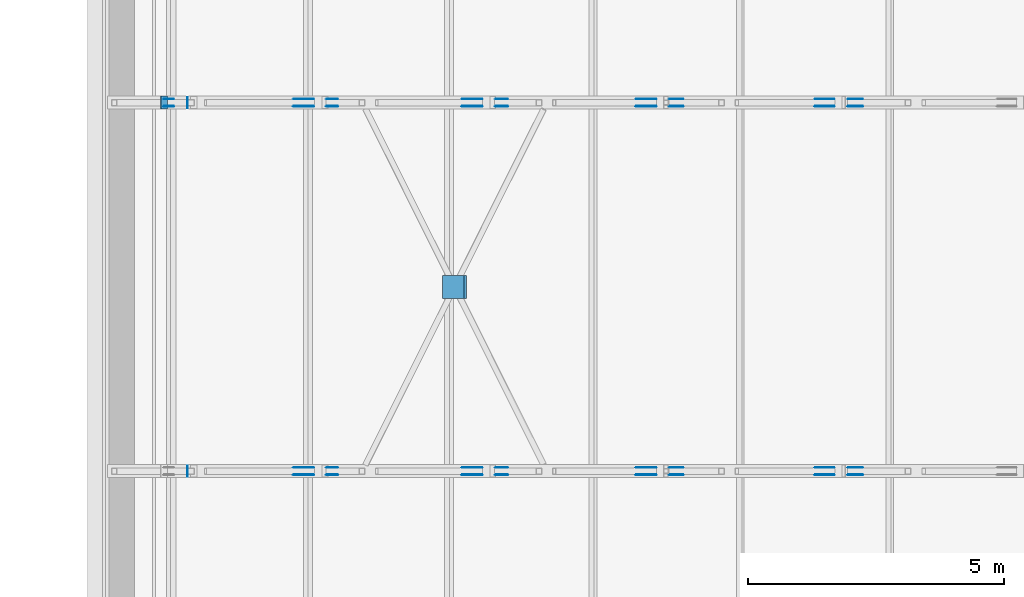
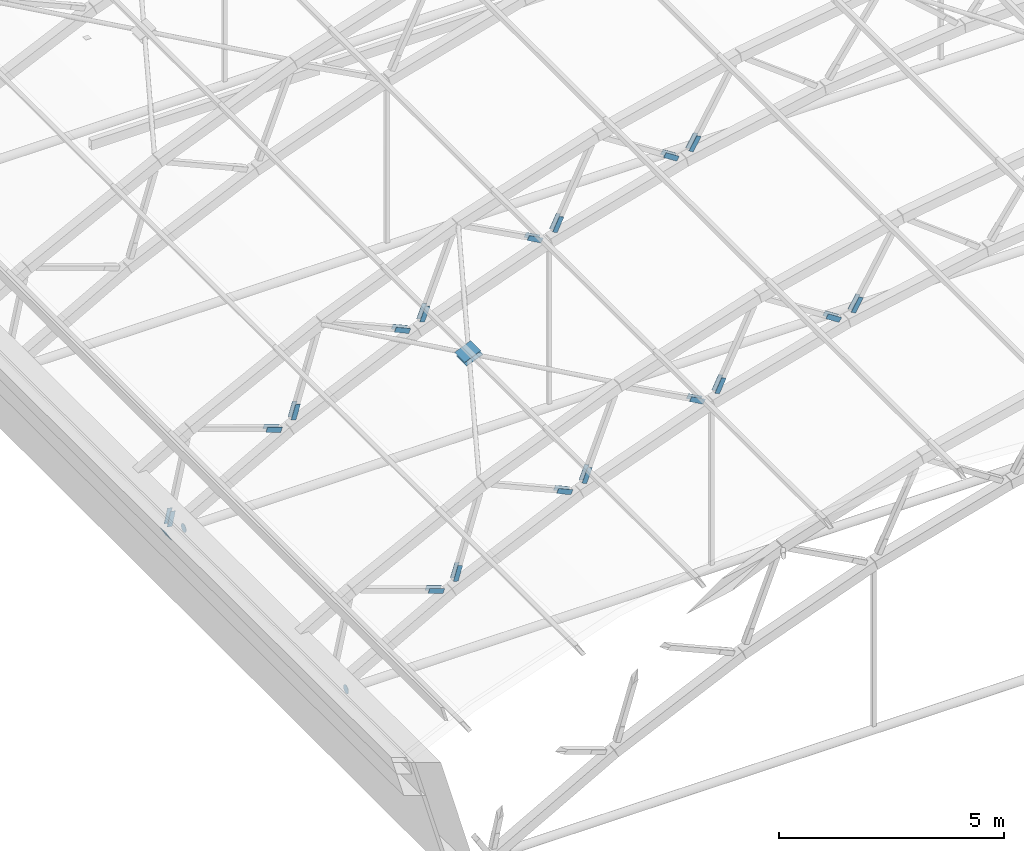
# One storey, part 107 of 127: 39 discrete accessories.
"""IFC4 building model written with IfcOpenShell, lengths in metres."""

import ifcopenshell
import ifcopenshell.guid

model = None  # the IFC model being written
_history = None  # IfcOwnerHistory: only IFC2X3 demands one
_inside = {}  # id of a spatial element -> (the spatial element, [elements in it])
_under = {}  # id of a project, library or spatial element -> (it, [spatial elements below it])
_declared = {}  # id of a project -> (the project, [libraries it declares])
_typed = {}  # id of a type object -> (the type object, [elements of that type])
_made_of = {}  # id of a material, layer set ... -> (it, [elements and type objects made of it])


def new_model(schema):
    """Start an empty IFC model of exactly this schema.

    Asked for "IFC4X3", IfcOpenShell would pick the latest addendum, in which some entities
    have other attributes; the version numbers below select the first issue.
    IFC2X3 requires an IfcOwnerHistory on every rooted entity: one is made here for all.
    """
    global model, _history
    if schema == "IFC4X3":
        model = ifcopenshell.file(schema_version=(4, 3, 0, 0))
    else:
        model = ifcopenshell.file(schema=schema)
    _inside.clear()
    _under.clear()
    _declared.clear()
    _typed.clear()
    _made_of.clear()
    _history = None
    if model.schema == "IFC2X3":
        org = make("IfcOrganization", Name="unknown")
        user = make(
            "IfcPersonAndOrganization",
            ThePerson=make("IfcPerson", FamilyName="unknown"),
            TheOrganization=org,
        )
        app = make(
            "IfcApplication",
            ApplicationDeveloper=org,
            Version="unknown",
            ApplicationFullName="unknown",
            ApplicationIdentifier="unknown",
        )
        _history = make(
            "IfcOwnerHistory",
            OwningUser=user,
            OwningApplication=app,
            ChangeAction="ADDED",
            CreationDate=0,
        )
    return model


def make(cls, **values):
    """One entity of the class cls with the attributes given. An attribute that is None is left unset."""
    return model.create_entity(
        cls, **{name: value for name, value in values.items() if value is not None}
    )


def rooted(cls, **values):
    """An entity with a GlobalId (a new one), such as an element, a storey or a relation."""
    return make(cls, GlobalId=ifcopenshell.guid.new(), OwnerHistory=_history, **values)


def si_unit(unit_type, name, prefix=None):
    """IfcSIUnit, for example si_unit("LENGTHUNIT", "METRE", prefix="MILLI")."""
    return make("IfcSIUnit", UnitType=unit_type, Prefix=prefix, Name=name)


def assignment(units):
    """IfcUnitAssignment: the units of a project."""
    return None if units is None else make("IfcUnitAssignment", Units=units)


def point(xyz):
    """IfcCartesianPoint."""
    return None if xyz is None else make("IfcCartesianPoint", Coordinates=xyz)


def direction(xyz):
    """IfcDirection."""
    return None if xyz is None else make("IfcDirection", DirectionRatios=xyz)


def frame(location, z_axis=None, x_axis=None):
    """IfcAxis2Placement3D, a coordinate frame: its origin and axes. An axis left out is left unset."""
    return make(
        "IfcAxis2Placement3D",
        Location=point(location),
        Axis=direction(z_axis),
        RefDirection=direction(x_axis),
    )


def frame_2d(location, x_axis=None):
    """IfcAxis2Placement2D, a coordinate frame in the plane: its origin and x axis."""
    return make(
        "IfcAxis2Placement2D", Location=point(location), RefDirection=direction(x_axis)
    )


def origin():
    """The frame at (0, 0, 0) with its axes left unset."""
    return frame((0.0, 0.0, 0.0))


def origin_2d():
    """The frame at (0, 0) in the plane with its x axis left unset."""
    return frame_2d((0.0, 0.0))


def place(relative_to, where):
    """IfcLocalPlacement: puts the frame where relative to a parent placement (None: the world)."""
    return make(
        "IfcLocalPlacement", PlacementRelTo=relative_to, RelativePlacement=where
    )


def context(
    kind, dimensions, precision=None, world=None, true_north=None, identifier=None
):
    """IfcGeometricRepresentationContext, for example the 3D "Model" context."""
    return make(
        "IfcGeometricRepresentationContext",
        ContextIdentifier=identifier,
        ContextType=kind,
        CoordinateSpaceDimension=dimensions,
        Precision=precision,
        WorldCoordinateSystem=world,
        TrueNorth=true_north,
    )


def subcontext(parent, identifier, kind, view, scale=None):
    """IfcGeometricRepresentationSubContext, for example "Body" below "Model"."""
    return make(
        "IfcGeometricRepresentationSubContext",
        ContextIdentifier=identifier,
        ContextType=kind,
        ParentContext=parent,
        TargetScale=scale,
        TargetView=view,
    )


def project(units=None, contexts=None):
    """IfcProject with its units and contexts."""
    return rooted(
        "IfcProject",
        Name="project",
        RepresentationContexts=contexts,
        UnitsInContext=assignment(units),
    )


def spatial(cls, under=None, at=None, **own):
    """A site, building, storey or space (cls), placed at a placement, below another one or the project."""
    s = rooted(cls, ObjectPlacement=at, **own)
    if under is not None:
        _under.setdefault(under.id(), (under, []))[1].append(s)
    return s


def profile(cls, at=None, kind="AREA", **sizes):
    """A parametric profile (cls). Its sizes go by their IFC names, for example OverallWidth=200.0."""
    return make(cls, ProfileType=kind, Position=at, **sizes)


def rectangle(**sizes):
    """IfcRectangleProfileDef."""
    return profile("IfcRectangleProfileDef", **sizes)


def circle(**sizes):
    """IfcCircleProfileDef."""
    return profile("IfcCircleProfileDef", **sizes)


def extrude(swept, where, along, depth):
    """IfcExtrudedAreaSolid: the profile swept, set in the frame where, extruded along a direction by depth."""
    return make(
        "IfcExtrudedAreaSolid",
        SweptArea=swept,
        Position=where,
        ExtrudedDirection=direction(along),
        Depth=depth,
    )


def shape(context_of_items, identifier, shape_type, items):
    """IfcShapeRepresentation: the items that make up one representation, for example the "Body"."""
    return make(
        "IfcShapeRepresentation",
        ContextOfItems=context_of_items,
        RepresentationIdentifier=identifier,
        RepresentationType=shape_type,
        Items=items,
    )


def material(Name=None, Category=None):
    """IfcMaterial."""
    return make("IfcMaterial", Name=Name, Category=Category)


def material_profile(
    of_material, cross_section, Name=None, Category=None, Priority=None
):
    """IfcMaterialProfile: a cross section and its material."""
    return make(
        "IfcMaterialProfile",
        Name=Name,
        Material=of_material,
        Profile=cross_section,
        Priority=Priority,
        Category=Category,
    )


def profile_set(profiles, Name=None, composite=None):
    """IfcMaterialProfileSet."""
    return make(
        "IfcMaterialProfileSet",
        Name=Name,
        MaterialProfiles=profiles,
        CompositeProfile=composite,
    )


def made_of(thing, what):
    """Note that an element or type object is made of a material, layer set ...; save() writes the relation."""
    if what is not None:
        _made_of.setdefault(what.id(), (what, []))[1].append(thing)
    return thing


def type_object(cls, material=None, **own):
    """A type object (cls), such as IfcWallType, which elements share."""
    return made_of(rooted(cls, **own), material)


def element(
    cls,
    number,
    at=None,
    inside=None,
    cuts=None,
    type_object=None,
    material=None,
    context=None,
    identifier="Body",
    shape_type=None,
    held_by="IfcProductDefinitionShape",
    body=None,
    shapes=None,
    **own,
):
    """One element of the class cls, such as IfcWall. Its Tag is "e" and its number.

    at: its placement. inside: the storey or other place that contains it. cuts: it is an
    opening in that element (IfcRelVoidsElement). A single representation is given by context,
    identifier, shape_type and body (its items); several are given by shapes. held_by: the class
    of the entity that holds the representations. save() writes the other relations.
    """
    e = rooted(cls, Tag="e%d" % number, ObjectPlacement=at, **own)
    if body is not None:
        shapes = [shape(context, identifier, shape_type, body)]
    if shapes is not None:
        e.Representation = make(held_by, Representations=shapes)
    if inside is not None:
        _inside.setdefault(inside.id(), (inside, []))[1].append(e)
    if cuts is not None:
        rooted(
            "IfcRelVoidsElement", RelatingBuildingElement=cuts, RelatedOpeningElement=e
        )
    if type_object is not None:
        _typed.setdefault(type_object.id(), (type_object, []))[1].append(e)
    return made_of(e, material)


def aggregate(whole, parts):
    """IfcRelAggregates: a whole, such as a stair, and the parts it consists of."""
    return rooted("IfcRelAggregates", RelatingObject=whole, RelatedObjects=parts)


def save(model, path):
    """Write the relations noted so far, then the file.

    IfcRelAggregates (storeys below a building ...), IfcRelContainedInSpatialStructure (elements
    in a storey), IfcRelDefinesByType, IfcRelAssociatesMaterial and IfcRelDeclares: one each for
    every whole, place, type object, material and project.
    """
    for whole, parts in _under.values():
        aggregate(whole, parts)
    for where, things in _inside.values():
        rooted(
            "IfcRelContainedInSpatialStructure",
            RelatedElements=things,
            RelatingStructure=where,
        )
    for kind, things in _typed.values():
        rooted("IfcRelDefinesByType", RelatedObjects=things, RelatingType=kind)
    for what, things in _made_of.values():
        rooted("IfcRelAssociatesMaterial", RelatedObjects=things, RelatingMaterial=what)
    for by, libraries in _declared.values():
        rooted("IfcRelDeclares", RelatingContext=by, RelatedDefinitions=libraries)
    model.write(path)


model = new_model("IFC4")

# Units and contexts
model_context = context("Model", 3, precision=1e-05, world=origin(), true_north=direction((0.0, 1.0)))
body_context = subcontext(model_context, "Body", "Model", "MODEL_VIEW")
ifc_project = project(units=[si_unit("LENGTHUNIT", "METRE"), si_unit("AREAUNIT", "SQUARE_METRE"), si_unit("VOLUMEUNIT", "CUBIC_METRE"), si_unit("PLANEANGLEUNIT", "RADIAN"), si_unit("MASSUNIT", "GRAM", prefix="KILO")], contexts=[model_context])

# Site, building, storey
site_placement = place(None, origin())
site = spatial("IfcSite", under=ifc_project, at=site_placement, CompositionType="ELEMENT")
building_placement = place(site_placement, origin())
building = spatial("IfcBuilding", under=site, at=building_placement, Name="Verrick Yard Athletic Hall", CompositionType="ELEMENT")
storey_placement = place(building_placement, frame((0.0, 0.0, 14.0)))
storey = spatial("IfcBuildingStorey", under=building, at=storey_placement, Name="L03", CompositionType="ELEMENT", Elevation=14.0)

# Discrete accessories
ifc_material = material(Name="Structural steel 350W (CSA G40.21)", Category="steel")
ifc_material_profile_1 = material_profile(ifc_material, rectangle(XDim=0.39990234375, YDim=0.126953125, at=origin_2d()), Name="Brace end cheek plate")
ifc_profile_set_1 = profile_set([ifc_material_profile_1], Name="Structural steel 350W (CSA G40.21)")
discrete_accessory_type_1 = type_object("IfcDiscreteAccessoryType", Name="Brace end cheek plate 400x127x12", PredefinedType="BRACKET", material=ifc_profile_set_1)
discrete_accessory_1_placement = place(storey_placement, frame((124.32421875, 86.33642578125, 1.907470703125), z_axis=(0.0, -1.0, 0.0), x_axis=(-0.944025603302, 0.0, 0.32987218784)))
element("IfcDiscreteAccessory", 1, at=discrete_accessory_1_placement, inside=storey, type_object=discrete_accessory_type_1, Name="Truss web end plate TA3-2 1", PredefinedType="BRACKET", context=body_context, shape_type="SweptSolid", body=[
    extrude(rectangle(XDim=0.39990234375, YDim=0.126953125, at=origin_2d()), origin(), (0.0, 0.0, 1.0), 0.011962890625),
])
for number, where, z_axis, x_axis, name in (
    (2, (124.32421875, 86.46337890625, 1.907470703125), (0.0, 1.0, 0.0), (-0.944025603302, 0.0, 0.32987218784), "Truss web end plate TA3-2 2"),
    (3, (124.877685546875, 86.46337890625, 2.18896484375), (0.0, 1.0, 0.0), (0.289473335175, 0.0, 0.95718607816), "Truss web end plate TA3-3 1"),
):
    element("IfcDiscreteAccessory", number, at=place(storey_placement, frame(where, z_axis=z_axis, x_axis=x_axis)), inside=storey, type_object=discrete_accessory_type_1, Name=name, PredefinedType="BRACKET", context=body_context, shape_type="SweptSolid", body=[
        extrude(rectangle(XDim=0.39990234375, YDim=0.126953125, at=origin_2d()), origin(), (0.0, 0.0, 1.0), 0.01220703125),
    ])
for number, where, z_axis, x_axis, name in (
    (4, (124.877685546875, 86.33642578125, 2.18896484375), (0.0, -1.0, 0.0), (0.289473335175, 0.0, 0.95718607816), "Truss web end plate TA3-3 2"),
    (5, (127.61279296875, 86.33642578125, 3.447509765625), (0.0, -1.0, 0.0), (-0.915285173692, 0.0, 0.402806468194), "Truss web end plate TA3-4 1"),
):
    element("IfcDiscreteAccessory", number, at=place(storey_placement, frame(where, z_axis=z_axis, x_axis=x_axis)), inside=storey, type_object=discrete_accessory_type_1, Name=name, PredefinedType="BRACKET", context=body_context, shape_type="SweptSolid", body=[
        extrude(rectangle(XDim=0.39990234375, YDim=0.126953125, at=origin_2d()), origin(), (0.0, 0.0, 1.0), 0.011962890625),
    ])
for number, where, z_axis, x_axis, name in (
    (6, (127.61279296875, 86.46337890625, 3.447509765625), (0.0, 1.0, 0.0), (-0.915285173692, 0.0, 0.402806468194), "Truss web end plate TA3-4 2"),
    (7, (128.186767578125, 86.46337890625, 3.684814453125), (0.0, 1.0, 0.0), (0.363562561074, 0.0, 0.931569784925), "Truss web end plate TA3-5 1"),
):
    element("IfcDiscreteAccessory", number, at=place(storey_placement, frame(where, z_axis=z_axis, x_axis=x_axis)), inside=storey, type_object=discrete_accessory_type_1, Name=name, PredefinedType="BRACKET", context=body_context, shape_type="SweptSolid", body=[
        extrude(rectangle(XDim=0.39990234375, YDim=0.126953125, at=origin_2d()), origin(), (0.0, 0.0, 1.0), 0.01220703125),
    ])
for number, where, z_axis, x_axis, name in (
    (8, (128.186767578125, 86.33642578125, 3.684814453125), (0.0, -1.0, 0.0), (0.363562561074, 0.0, 0.931569784925), "Truss web end plate TA3-5 2"),
    (9, (131.01220703125, 86.33642578125, 4.725341796875), (0.0, -1.0, 0.0), (-0.880919955637, 0.0, 0.473265286876), "Truss web end plate TA3-6 1"),
):
    element("IfcDiscreteAccessory", number, at=place(storey_placement, frame(where, z_axis=z_axis, x_axis=x_axis)), inside=storey, type_object=discrete_accessory_type_1, Name=name, PredefinedType="BRACKET", context=body_context, shape_type="SweptSolid", body=[
        extrude(rectangle(XDim=0.39990234375, YDim=0.126953125, at=origin_2d()), origin(), (0.0, 0.0, 1.0), 0.011962890625),
    ])
for number, where, z_axis, x_axis, name in (
    (10, (131.01220703125, 86.46337890625, 4.725341796875), (0.0, 1.0, 0.0), (-0.880919955637, 0.0, 0.473265286876), "Truss web end plate TA3-6 2"),
    (11, (131.602783203125, 86.46337890625, 4.9169921875), (0.0, 1.0, 0.0), (0.435417263932, 0.0, 0.90022875219), "Truss web end plate TA3-7 1"),
):
    element("IfcDiscreteAccessory", number, at=place(storey_placement, frame(where, z_axis=z_axis, x_axis=x_axis)), inside=storey, type_object=discrete_accessory_type_1, Name=name, PredefinedType="BRACKET", context=body_context, shape_type="SweptSolid", body=[
        extrude(rectangle(XDim=0.39990234375, YDim=0.126953125, at=origin_2d()), origin(), (0.0, 0.0, 1.0), 0.01220703125),
    ])
for number, where, z_axis, x_axis, name in (
    (12, (131.602783203125, 86.33642578125, 4.9169921875), (0.0, -1.0, 0.0), (0.435417263932, 0.0, 0.90022875219), "Truss web end plate TA3-7 2"),
    (13, (134.501220703125, 86.33642578125, 5.73291015625), (0.0, -1.0, 0.0), (-0.841141186405, 0.0, 0.540815591984), "Truss web end plate TA3-8 1"),
):
    element("IfcDiscreteAccessory", number, at=place(storey_placement, frame(where, z_axis=z_axis, x_axis=x_axis)), inside=storey, type_object=discrete_accessory_type_1, Name=name, PredefinedType="BRACKET", context=body_context, shape_type="SweptSolid", body=[
        extrude(rectangle(XDim=0.39990234375, YDim=0.126953125, at=origin_2d()), origin(), (0.0, 0.0, 1.0), 0.011962890625),
    ])
for number, where, z_axis, x_axis, name in (
    (14, (134.501220703125, 86.46337890625, 5.73291015625), (0.0, 1.0, 0.0), (-0.841141186405, 0.0, 0.540815591984), "Truss web end plate TA3-8 2"),
    (15, (135.10498046875, 86.46337890625, 5.877685546875), (0.0, 1.0, 0.0), (0.504596608522, 0.0, 0.863355235502), "Truss web end plate TA3-9 1"),
):
    element("IfcDiscreteAccessory", number, at=place(storey_placement, frame(where, z_axis=z_axis, x_axis=x_axis)), inside=storey, type_object=discrete_accessory_type_1, Name=name, PredefinedType="BRACKET", context=body_context, shape_type="SweptSolid", body=[
        extrude(rectangle(XDim=0.39990234375, YDim=0.126953125, at=origin_2d()), origin(), (0.0, 0.0, 1.0), 0.01220703125),
    ])
for number, where, z_axis, x_axis, name in (
    (16, (135.10498046875, 86.33642578125, 5.877685546875), (0.0, -1.0, 0.0), (0.504596608522, 0.0, 0.863355235502), "Truss web end plate TA3-9 2"),
    (17, (121.69091796875, 93.66357421875, 0.416015625), (0.0, 1.0, 0.0), (0.213605450371, 0.0, 0.976920012883), "Truss web end plate TA4-1 1"),
):
    element("IfcDiscreteAccessory", number, at=place(storey_placement, frame(where, z_axis=z_axis, x_axis=x_axis)), inside=storey, type_object=discrete_accessory_type_1, Name=name, PredefinedType="BRACKET", context=body_context, shape_type="SweptSolid", body=[
        extrude(rectangle(XDim=0.39990234375, YDim=0.126953125, at=origin_2d()), origin(), (0.0, 0.0, 1.0), 0.011962890625),
    ])
for number, where, z_axis, x_axis, name in (
    (18, (121.69091796875, 93.53662109375, 0.416015625), (0.0, -1.0, 0.0), (0.213605450371, 0.0, 0.976920012883), "Truss web end plate TA4-1 2"),
    (19, (124.32421875, 93.53662109375, 1.907470703125), (0.0, -1.0, 0.0), (-0.944025603302, 0.0, 0.32987218784), "Truss web end plate TA4-2 1"),
):
    element("IfcDiscreteAccessory", number, at=place(storey_placement, frame(where, z_axis=z_axis, x_axis=x_axis)), inside=storey, type_object=discrete_accessory_type_1, Name=name, PredefinedType="BRACKET", context=body_context, shape_type="SweptSolid", body=[
        extrude(rectangle(XDim=0.39990234375, YDim=0.126953125, at=origin_2d()), origin(), (0.0, 0.0, 1.0), 0.01220703125),
    ])
for number, where, z_axis, x_axis, name in (
    (20, (124.32421875, 93.66357421875, 1.907470703125), (0.0, 1.0, 0.0), (-0.944025603302, 0.0, 0.32987218784), "Truss web end plate TA4-2 2"),
    (21, (124.877685546875, 93.66357421875, 2.18896484375), (0.0, 1.0, 0.0), (0.289473335175, 0.0, 0.95718607816), "Truss web end plate TA4-3 1"),
):
    element("IfcDiscreteAccessory", number, at=place(storey_placement, frame(where, z_axis=z_axis, x_axis=x_axis)), inside=storey, type_object=discrete_accessory_type_1, Name=name, PredefinedType="BRACKET", context=body_context, shape_type="SweptSolid", body=[
        extrude(rectangle(XDim=0.39990234375, YDim=0.126953125, at=origin_2d()), origin(), (0.0, 0.0, 1.0), 0.011962890625),
    ])
for number, where, z_axis, x_axis, name in (
    (22, (124.877685546875, 93.53662109375, 2.18896484375), (0.0, -1.0, 0.0), (0.289473335175, 0.0, 0.95718607816), "Truss web end plate TA4-3 2"),
    (23, (127.61279296875, 93.53662109375, 3.447509765625), (0.0, -1.0, 0.0), (-0.915285173692, 0.0, 0.402806468194), "Truss web end plate TA4-4 1"),
):
    element("IfcDiscreteAccessory", number, at=place(storey_placement, frame(where, z_axis=z_axis, x_axis=x_axis)), inside=storey, type_object=discrete_accessory_type_1, Name=name, PredefinedType="BRACKET", context=body_context, shape_type="SweptSolid", body=[
        extrude(rectangle(XDim=0.39990234375, YDim=0.126953125, at=origin_2d()), origin(), (0.0, 0.0, 1.0), 0.01220703125),
    ])
for number, where, z_axis, x_axis, name in (
    (24, (127.61279296875, 93.66357421875, 3.447509765625), (0.0, 1.0, 0.0), (-0.915285173692, 0.0, 0.402806468194), "Truss web end plate TA4-4 2"),
    (25, (128.186767578125, 93.66357421875, 3.684814453125), (0.0, 1.0, 0.0), (0.363562561074, 0.0, 0.931569784925), "Truss web end plate TA4-5 1"),
):
    element("IfcDiscreteAccessory", number, at=place(storey_placement, frame(where, z_axis=z_axis, x_axis=x_axis)), inside=storey, type_object=discrete_accessory_type_1, Name=name, PredefinedType="BRACKET", context=body_context, shape_type="SweptSolid", body=[
        extrude(rectangle(XDim=0.39990234375, YDim=0.126953125, at=origin_2d()), origin(), (0.0, 0.0, 1.0), 0.011962890625),
    ])
for number, where, z_axis, x_axis, name in (
    (26, (128.186767578125, 93.53662109375, 3.684814453125), (0.0, -1.0, 0.0), (0.363562561074, 0.0, 0.931569784925), "Truss web end plate TA4-5 2"),
    (27, (131.01220703125, 93.53662109375, 4.725341796875), (0.0, -1.0, 0.0), (-0.880919955637, 0.0, 0.473265286876), "Truss web end plate TA4-6 1"),
):
    element("IfcDiscreteAccessory", number, at=place(storey_placement, frame(where, z_axis=z_axis, x_axis=x_axis)), inside=storey, type_object=discrete_accessory_type_1, Name=name, PredefinedType="BRACKET", context=body_context, shape_type="SweptSolid", body=[
        extrude(rectangle(XDim=0.39990234375, YDim=0.126953125, at=origin_2d()), origin(), (0.0, 0.0, 1.0), 0.01220703125),
    ])
for number, where, z_axis, x_axis, name in (
    (28, (131.01220703125, 93.66357421875, 4.725341796875), (0.0, 1.0, 0.0), (-0.880919955637, 0.0, 0.473265286876), "Truss web end plate TA4-6 2"),
    (29, (131.602783203125, 93.66357421875, 4.9169921875), (0.0, 1.0, 0.0), (0.435417263932, 0.0, 0.90022875219), "Truss web end plate TA4-7 1"),
):
    element("IfcDiscreteAccessory", number, at=place(storey_placement, frame(where, z_axis=z_axis, x_axis=x_axis)), inside=storey, type_object=discrete_accessory_type_1, Name=name, PredefinedType="BRACKET", context=body_context, shape_type="SweptSolid", body=[
        extrude(rectangle(XDim=0.39990234375, YDim=0.126953125, at=origin_2d()), origin(), (0.0, 0.0, 1.0), 0.011962890625),
    ])
for number, where, z_axis, x_axis, name in (
    (30, (131.602783203125, 93.53662109375, 4.9169921875), (0.0, -1.0, 0.0), (0.435417263932, 0.0, 0.90022875219), "Truss web end plate TA4-7 2"),
    (31, (134.501220703125, 93.53662109375, 5.73291015625), (0.0, -1.0, 0.0), (-0.841141186405, 0.0, 0.540815591984), "Truss web end plate TA4-8 1"),
):
    element("IfcDiscreteAccessory", number, at=place(storey_placement, frame(where, z_axis=z_axis, x_axis=x_axis)), inside=storey, type_object=discrete_accessory_type_1, Name=name, PredefinedType="BRACKET", context=body_context, shape_type="SweptSolid", body=[
        extrude(rectangle(XDim=0.39990234375, YDim=0.126953125, at=origin_2d()), origin(), (0.0, 0.0, 1.0), 0.01220703125),
    ])
for number, where, z_axis, x_axis, name in (
    (32, (134.501220703125, 93.66357421875, 5.73291015625), (0.0, 1.0, 0.0), (-0.841141186405, 0.0, 0.540815591984), "Truss web end plate TA4-8 2"),
    (33, (135.10498046875, 93.66357421875, 5.877685546875), (0.0, 1.0, 0.0), (0.504596608522, 0.0, 0.863355235502), "Truss web end plate TA4-9 1"),
):
    element("IfcDiscreteAccessory", number, at=place(storey_placement, frame(where, z_axis=z_axis, x_axis=x_axis)), inside=storey, type_object=discrete_accessory_type_1, Name=name, PredefinedType="BRACKET", context=body_context, shape_type="SweptSolid", body=[
        extrude(rectangle(XDim=0.39990234375, YDim=0.126953125, at=origin_2d()), origin(), (0.0, 0.0, 1.0), 0.011962890625),
    ])
discrete_accessory_2_placement = place(storey_placement, frame((135.10498046875, 93.53662109375, 5.877685546875), z_axis=(0.0, -1.0, 0.0), x_axis=(0.504596608522, 0.0, 0.863355235502)))
element("IfcDiscreteAccessory", 34, at=discrete_accessory_2_placement, inside=storey, type_object=discrete_accessory_type_1, Name="Truss web end plate TA4-9 2", PredefinedType="BRACKET", context=body_context, shape_type="SweptSolid", body=[
    extrude(rectangle(XDim=0.39990234375, YDim=0.126953125, at=origin_2d()), origin(), (0.0, 0.0, 1.0), 0.01220703125),
])
ifc_material_profile_2 = material_profile(ifc_material, rectangle(XDim=0.449951171875, YDim=0.449951171875, at=origin_2d()), Name="Brace node plate")
ifc_profile_set_2 = profile_set([ifc_material_profile_2], Name="Structural steel 350W (CSA G40.21)")
discrete_accessory_type_2 = type_object("IfcDiscreteAccessoryType", Name="Brace node plate 450x450x12", PredefinedType="BRACKET", material=ifc_profile_set_2)
discrete_accessory_3_placement = place(storey_placement, frame((127.29541015625, 90.0, 5.028076171875), z_axis=(0.371390676354, 0.0, -0.928476690885), x_axis=(0.0, 1.0, 0.0)))
element("IfcDiscreteAccessory", 35, at=discrete_accessory_3_placement, inside=storey, type_object=discrete_accessory_type_2, Name="Brace node plate A3-1 1", PredefinedType="BRACKET", context=body_context, shape_type="SweptSolid", body=[
    extrude(rectangle(XDim=0.449951171875, YDim=0.449951171875, at=origin_2d()), origin(), (0.0, 0.0, 1.0), 0.01171875),
])
discrete_accessory_4_placement = place(storey_placement, frame((127.251708984375, 90.0, 5.1337890625), z_axis=(-0.38897203704, 0.0, 0.921249561411), x_axis=(0.0, -1.0, 0.0)))
element("IfcDiscreteAccessory", 36, at=discrete_accessory_4_placement, inside=storey, type_object=discrete_accessory_type_2, Name="Brace node plate A3-1 2", PredefinedType="BRACKET", context=body_context, shape_type="SweptSolid", body=[
    extrude(rectangle(XDim=0.449951171875, YDim=0.449951171875, at=origin_2d()), origin(), (0.0, 0.0, 1.0), 0.011962890625),
])
ifc_material_profile_3 = material_profile(ifc_material, rectangle(XDim=0.25390625, YDim=0.25390625, at=origin_2d()), Name="STR End cap plate 254x254x9.5")
ifc_profile_set_3 = profile_set([ifc_material_profile_3], Name="Structural steel 350W (CSA G40.21)")
discrete_accessory_type_3 = type_object("IfcDiscreteAccessoryType", Name="STR End cap plate 254x254x9.5", PredefinedType="BRACKET", material=ifc_profile_set_3)
discrete_accessory_5_placement = place(storey_placement, frame((121.59130859375, 93.60009765625, -0.0048828125), z_axis=(0.874157276122, 0.0, 0.485642931179), x_axis=(0.0, 1.0, 0.0)))
element("IfcDiscreteAccessory", 37, at=discrete_accessory_5_placement, inside=storey, type_object=discrete_accessory_type_3, Name="End cap Truss TA4 bottom chord 1 A", PredefinedType="BRACKET", context=body_context, shape_type="SweptSolid", body=[
    extrude(rectangle(XDim=0.25390625, YDim=0.25390625, at=origin_2d()), origin(), (0.0, 0.0, 1.0), 0.010009765625),
])
ifc_material_profile_4 = material_profile(ifc_material, circle(Radius=0.109619140625, at=origin_2d()), Name="STR End cap plate 219x13")
ifc_profile_set_4 = profile_set([ifc_material_profile_4], Name="Structural steel 350W (CSA G40.21)")
discrete_accessory_type_4 = type_object("IfcDiscreteAccessoryType", Name="STR End cap plate 219x13", PredefinedType="BRACKET", material=ifc_profile_set_4)
for number, where, z_axis, x_axis, name in (
    (38, (122.04638671875, 86.39990234375, 0.0), (1.0, 0.0, 0.0), (0.0, 1.0, 0.0), "End cap Truss TA3 tie 1 A"),
    (39, (122.04638671875, 93.60009765625, 0.0), (1.0, 0.0, 0.0), (0.0, 1.0, 0.0), "End cap Truss TA4 tie 1 A"),
):
    element("IfcDiscreteAccessory", number, at=place(storey_placement, frame(where, z_axis=z_axis, x_axis=x_axis)), inside=storey, type_object=discrete_accessory_type_4, Name=name, PredefinedType="BRACKET", context=body_context, shape_type="SweptSolid", body=[
        extrude(circle(Radius=0.109619140625, at=origin_2d()), origin(), (0.0, 0.0, 1.0), 0.010009765625),
    ])

save(model, "model.ifc")
